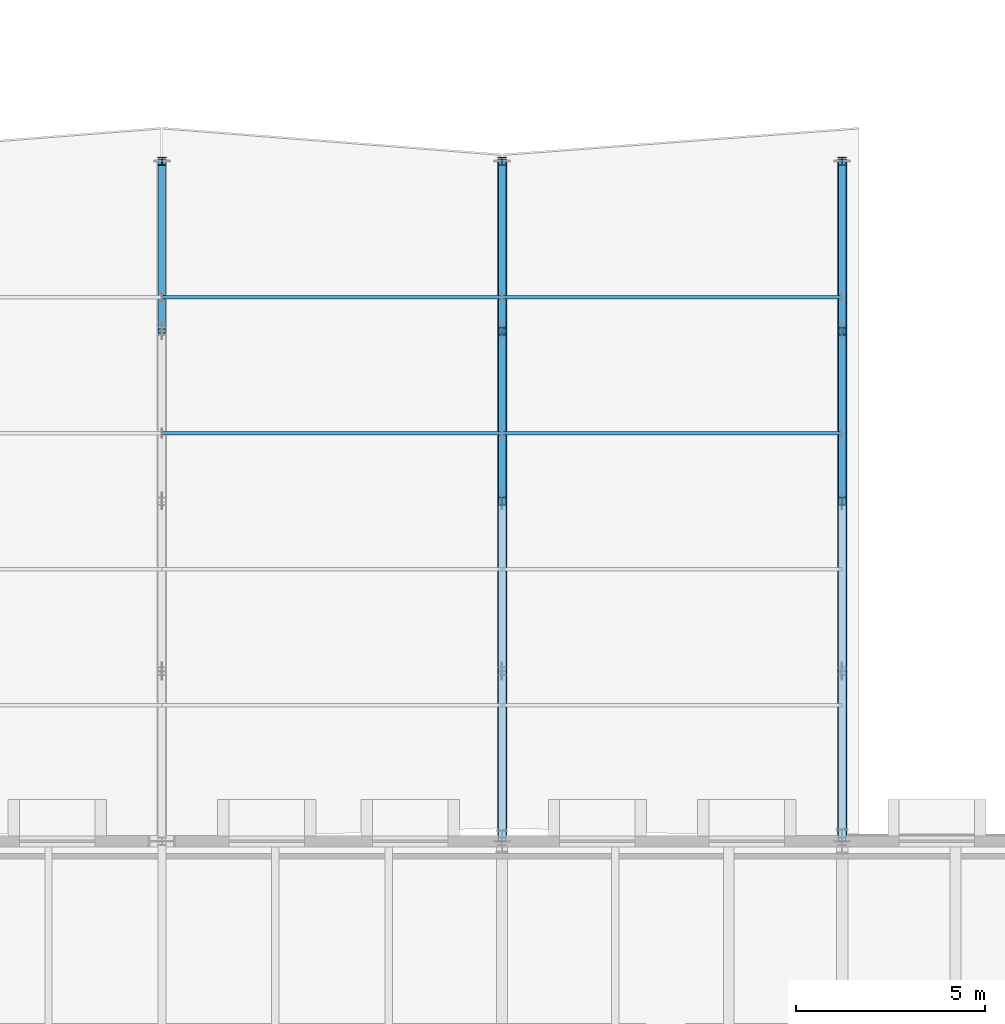
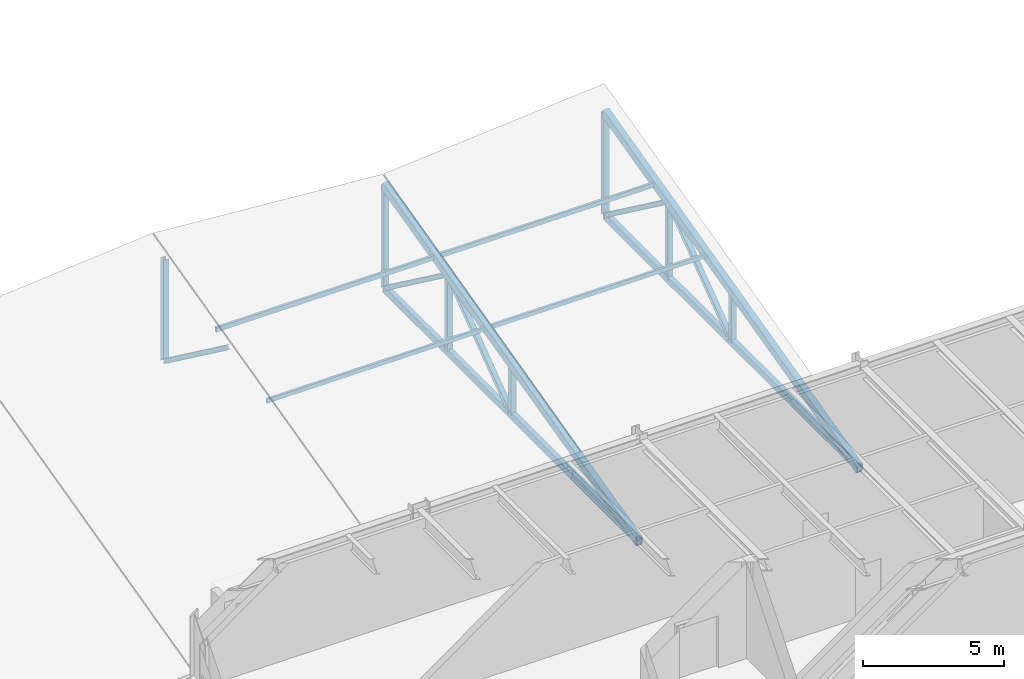
# One storey, part 17 of 67: 20 members.
"""IFC4 building model written with IfcOpenShell, lengths in metres."""

from ifc_helpers import new_model, si_unit, direction, frame, origin, origin_2d, place, context, subcontext, project, spatial, hollow_rectangle, i_section, extrude, material, material_profile, profile_set, type_object, element, save


model = new_model("IFC4")

# Units and contexts
model_context = context("Model", 3, precision=1e-05, world=origin(), true_north=direction((0.0, 1.0)))
body_context = subcontext(model_context, "Body", "Model", "MODEL_VIEW")
ifc_project = project(units=[si_unit("LENGTHUNIT", "METRE"), si_unit("AREAUNIT", "SQUARE_METRE"), si_unit("VOLUMEUNIT", "CUBIC_METRE"), si_unit("PLANEANGLEUNIT", "RADIAN"), si_unit("MASSUNIT", "GRAM", prefix="KILO")], contexts=[model_context])

# Site, building, storey
site_placement = place(None, origin())
site = spatial("IfcSite", under=ifc_project, at=site_placement, CompositionType="ELEMENT")
building_placement = place(site_placement, origin())
building = spatial("IfcBuilding", under=site, at=building_placement, Name="Montelvaro Courts of Justice", CompositionType="ELEMENT")
storey_placement = place(building_placement, frame((0.0, 0.0, 18.89990234375)))
storey = spatial("IfcBuildingStorey", under=building, at=storey_placement, Name="L04", CompositionType="ELEMENT", Elevation=18.89990234375)

# Members
ifc_material = material(Name="Steel S355", Category="steel")
ifc_material_profile_1 = material_profile(ifc_material, i_section(OverallWidth=0.199951171875, OverallDepth=0.18994140625, WebThickness=0.006591796875, FlangeThickness=0.010009765625, at=origin_2d()), Name="HEA 200")
ifc_profile_set_1 = profile_set([ifc_material_profile_1], Name="Steel S355")
member_type_1 = type_object("IfcMemberType", Name="Mem_HEA200_Brace", PredefinedType="BRACE", material=ifc_profile_set_1)
for number, where, z_axis, x_axis, name in (
    (1, (54.0, 37.5, 3.025146484375), (0.0, 0.804273161752, -0.594259775928), (-1.0, 0.0, 0.0), "Roof Truss Web MB-02 ROOF-V3-VTR05-W4"),
    (2, (63.0, 33.0, -0.2998046875), (0.0, 0.804273161752, 0.594259775928), (-1.0, 0.0, 0.0), "Roof Truss Web MB-02 ROOF-V3-VTR06-W3"),
    (3, (63.0, 37.5, 3.025146484375), (0.0, 0.804273161752, -0.594259775928), (-1.0, 0.0, 0.0), "Roof Truss Web MB-02 ROOF-V3-VTR06-W4"),
    (4, (72.0, 33.0, -0.2998046875), (0.0, 0.804273161752, 0.594259775928), (-1.0, 0.0, 0.0), "Roof Truss Web MB-02 ROOF-V3-VTR07-W3"),
    (5, (72.0, 37.5, 3.025146484375), (0.0, 0.804273161752, -0.594259775928), (-1.0, 0.0, 0.0), "Roof Truss Web MB-02 ROOF-V3-VTR07-W4"),
):
    element("IfcMember", number, at=place(storey_placement, frame(where, z_axis=z_axis, x_axis=x_axis)), inside=storey, type_object=member_type_1, Name=name, PredefinedType="BRACE", context=body_context, shape_type="SweptSolid", body=[
        extrude(i_section(OverallWidth=0.199951171875, OverallDepth=0.18994140625, WebThickness=0.006591796875, FlangeThickness=0.010009765625, at=origin_2d()), origin(), (0.0, 0.0, 1.0), 5.59521484375),
    ])
ifc_material_profile_2 = material_profile(ifc_material, i_section(OverallWidth=0.219970703125, OverallDepth=0.2099609375, WebThickness=0.007080078125, FlangeThickness=0.010986328125, at=origin_2d()), Name="HEA 220")
ifc_profile_set_2 = profile_set([ifc_material_profile_2], Name="Steel S355")
member_type_2 = type_object("IfcMemberType", Name="Mem_HEA220_Post", PredefinedType="POST", material=ifc_profile_set_2)
member_1_placement = place(storey_placement, frame((54.0, 42.0, -0.2998046875), z_axis=(0.0, 0.0, 1.0), x_axis=(1.0, 0.0, 0.0)))
element("IfcMember", 6, at=member_1_placement, inside=storey, type_object=member_type_2, Name="Roof Truss Post MP-03 ROOF-V3-VTR05-V4", PredefinedType="POST", context=body_context, shape_type="SweptSolid", body=[
    extrude(i_section(OverallWidth=0.219970703125, OverallDepth=0.2099609375, WebThickness=0.007080078125, FlangeThickness=0.010986328125, at=origin_2d()), origin(), (0.0, 0.0, 1.0), 4.449951171875),
])
member_2_placement = place(storey_placement, frame((63.0, 33.0, -0.2998046875), z_axis=(0.0, 0.0, 1.0), x_axis=(1.0, 0.0, 0.0)))
element("IfcMember", 7, at=member_2_placement, inside=storey, type_object=member_type_2, Name="Roof Truss Post MP-03 ROOF-V3-VTR06-V2", PredefinedType="POST", context=body_context, shape_type="SweptSolid", body=[
    extrude(i_section(OverallWidth=0.219970703125, OverallDepth=0.2099609375, WebThickness=0.007080078125, FlangeThickness=0.010986328125, at=origin_2d()), origin(), (0.0, 0.0, 1.0), 2.199951171875),
])
member_3_placement = place(storey_placement, frame((63.0, 37.5, -0.2998046875), z_axis=(0.0, 0.0, 1.0), x_axis=(1.0, 0.0, 0.0)))
element("IfcMember", 8, at=member_3_placement, inside=storey, type_object=member_type_2, Name="Roof Truss Post MP-03 ROOF-V3-VTR06-V3", PredefinedType="POST", context=body_context, shape_type="SweptSolid", body=[
    extrude(i_section(OverallWidth=0.219970703125, OverallDepth=0.2099609375, WebThickness=0.007080078125, FlangeThickness=0.010986328125, at=origin_2d()), origin(), (0.0, 0.0, 1.0), 3.324951171875),
])
member_4_placement = place(storey_placement, frame((63.0, 42.0, -0.2998046875), z_axis=(0.0, 0.0, 1.0), x_axis=(1.0, 0.0, 0.0)))
element("IfcMember", 9, at=member_4_placement, inside=storey, type_object=member_type_2, Name="Roof Truss Post MP-03 ROOF-V3-VTR06-V4", PredefinedType="POST", context=body_context, shape_type="SweptSolid", body=[
    extrude(i_section(OverallWidth=0.219970703125, OverallDepth=0.2099609375, WebThickness=0.007080078125, FlangeThickness=0.010986328125, at=origin_2d()), origin(), (0.0, 0.0, 1.0), 4.449951171875),
])
member_5_placement = place(storey_placement, frame((72.0, 33.0, -0.2998046875), z_axis=(0.0, 0.0, 1.0), x_axis=(1.0, 0.0, 0.0)))
element("IfcMember", 10, at=member_5_placement, inside=storey, type_object=member_type_2, Name="Roof Truss Post MP-03 ROOF-V3-VTR07-V2", PredefinedType="POST", context=body_context, shape_type="SweptSolid", body=[
    extrude(i_section(OverallWidth=0.219970703125, OverallDepth=0.2099609375, WebThickness=0.007080078125, FlangeThickness=0.010986328125, at=origin_2d()), origin(), (0.0, 0.0, 1.0), 2.199951171875),
])
member_6_placement = place(storey_placement, frame((72.0, 37.5, -0.2998046875), z_axis=(0.0, 0.0, 1.0), x_axis=(1.0, 0.0, 0.0)))
element("IfcMember", 11, at=member_6_placement, inside=storey, type_object=member_type_2, Name="Roof Truss Post MP-03 ROOF-V3-VTR07-V3", PredefinedType="POST", context=body_context, shape_type="SweptSolid", body=[
    extrude(i_section(OverallWidth=0.219970703125, OverallDepth=0.2099609375, WebThickness=0.007080078125, FlangeThickness=0.010986328125, at=origin_2d()), origin(), (0.0, 0.0, 1.0), 3.324951171875),
])
member_7_placement = place(storey_placement, frame((72.0, 42.0, -0.2998046875), z_axis=(0.0, 0.0, 1.0), x_axis=(1.0, 0.0, 0.0)))
element("IfcMember", 12, at=member_7_placement, inside=storey, type_object=member_type_2, Name="Roof Truss Post MP-03 ROOF-V3-VTR07-V4", PredefinedType="POST", context=body_context, shape_type="SweptSolid", body=[
    extrude(i_section(OverallWidth=0.219970703125, OverallDepth=0.2099609375, WebThickness=0.007080078125, FlangeThickness=0.010986328125, at=origin_2d()), origin(), (0.0, 0.0, 1.0), 4.449951171875),
])
ifc_material_profile_3 = material_profile(ifc_material, hollow_rectangle(XDim=0.10009765625, YDim=0.179931640625, WallThickness=0.008056640625, at=origin_2d()), Name="RHS 180x100x8")
ifc_profile_set_3 = profile_set([ifc_material_profile_3], Name="Steel S355")
member_type_3 = type_object("IfcMemberType", Name="Mem_RHS180_Purlin", PredefinedType="PURLIN", material=ifc_profile_set_3)
for number, where, z_axis, x_axis, name in (
    (13, (54.0, 34.800048828125, 2.35009765625), (1.0, 0.0, 0.0), (0.0, 1.0, 0.0), "Roof Purlin MR-03 ROOF-V3-PRL-05-3M"),
    (14, (63.0, 34.800048828125, 2.35009765625), (1.0, 0.0, 0.0), (0.0, 1.0, 0.0), "Roof Purlin MR-03 ROOF-V3-PRL-06-3M"),
):
    element("IfcMember", number, at=place(storey_placement, frame(where, z_axis=z_axis, x_axis=x_axis)), inside=storey, type_object=member_type_3, Name=name, PredefinedType="PURLIN", context=body_context, shape_type="SweptSolid", body=[
        extrude(hollow_rectangle(XDim=0.10009765625, YDim=0.179931640625, WallThickness=0.008056640625, at=origin_2d()), origin(), (0.0, 0.0, 1.0), 9.0),
    ])
ifc_material_profile_4 = material_profile(ifc_material, hollow_rectangle(XDim=0.10009765625, YDim=0.199951171875, WallThickness=0.008056640625, at=origin_2d()), Name="RHS 200x100x8")
ifc_profile_set_4 = profile_set([ifc_material_profile_4], Name="Steel S355")
member_type_4 = type_object("IfcMemberType", Name="Mem_RHS200_Purlin", PredefinedType="PURLIN", material=ifc_profile_set_4)
for number, where, z_axis, x_axis, name in (
    (15, (54.0, 38.39990234375, 3.25), (1.0, 0.0, 0.0), (0.0, 1.0, 0.0), "Roof Purlin MR-04 ROOF-V3-PRL-05-4M"),
    (16, (63.0, 38.39990234375, 3.25), (1.0, 0.0, 0.0), (0.0, 1.0, 0.0), "Roof Purlin MR-04 ROOF-V3-PRL-06-4M"),
):
    element("IfcMember", number, at=place(storey_placement, frame(where, z_axis=z_axis, x_axis=x_axis)), inside=storey, type_object=member_type_4, Name=name, PredefinedType="PURLIN", context=body_context, shape_type="SweptSolid", body=[
        extrude(hollow_rectangle(XDim=0.10009765625, YDim=0.199951171875, WallThickness=0.008056640625, at=origin_2d()), origin(), (0.0, 0.0, 1.0), 9.0),
    ])
ifc_material_profile_5 = material_profile(ifc_material, hollow_rectangle(XDim=0.199951171875, YDim=0.300048828125, WallThickness=0.012451171875, at=origin_2d()), Name="RHS 300x200x12.5")
ifc_profile_set_5 = profile_set([ifc_material_profile_5], Name="Steel S355")
member_type_5 = type_object("IfcMemberType", Name="Mem_RHS300_Chord", PredefinedType="CHORD", material=ifc_profile_set_5)
for number, where, z_axis, x_axis, name in (
    (17, (63.0, 24.0, -0.2998046875), (0.0, 1.0, 0.0), (-1.0, 0.0, 0.0), "Roof Truss ROOF-V3-VTR06 Bottom Chord"),
    (18, (72.0, 24.0, -0.2998046875), (0.0, 1.0, 0.0), (-1.0, 0.0, 0.0), "Roof Truss ROOF-V3-VTR07 Bottom Chord"),
):
    element("IfcMember", number, at=place(storey_placement, frame(where, z_axis=z_axis, x_axis=x_axis)), inside=storey, type_object=member_type_5, Name=name, PredefinedType="CHORD", context=body_context, shape_type="SweptSolid", body=[
        extrude(hollow_rectangle(XDim=0.199951171875, YDim=0.300048828125, WallThickness=0.012451171875, at=origin_2d()), origin(), (0.0, 0.0, 1.0), 18.0),
    ])
ifc_material_profile_6 = material_profile(ifc_material, hollow_rectangle(XDim=0.25, YDim=0.35009765625, WallThickness=0.012451171875, at=origin_2d()), Name="RHS 350x250x12.5")
ifc_profile_set_6 = profile_set([ifc_material_profile_6], Name="Steel S355")
member_type_6 = type_object("IfcMemberType", Name="Mem_RHS350_Chord", PredefinedType="CHORD", material=ifc_profile_set_6)
for number, where, z_axis, x_axis, name in (
    (19, (63.0, 24.0, -0.349853515625), (0.0, 0.970142500145, 0.242535625036), (-1.0, 0.0, 0.0), "Roof Truss ROOF-V3-VTR06 Top Chord"),
    (20, (72.0, 24.0, -0.349853515625), (0.0, 0.970142500145, 0.242535625036), (-1.0, 0.0, 0.0), "Roof Truss ROOF-V3-VTR07 Top Chord"),
):
    element("IfcMember", number, at=place(storey_placement, frame(where, z_axis=z_axis, x_axis=x_axis)), inside=storey, type_object=member_type_6, Name=name, PredefinedType="CHORD", context=body_context, shape_type="SweptSolid", body=[
        extrude(hollow_rectangle(XDim=0.25, YDim=0.35009765625, WallThickness=0.012451171875, at=origin_2d()), origin(), (0.0, 0.0, 1.0), 18.553955078125),
    ])

save(model, "model.ifc")
